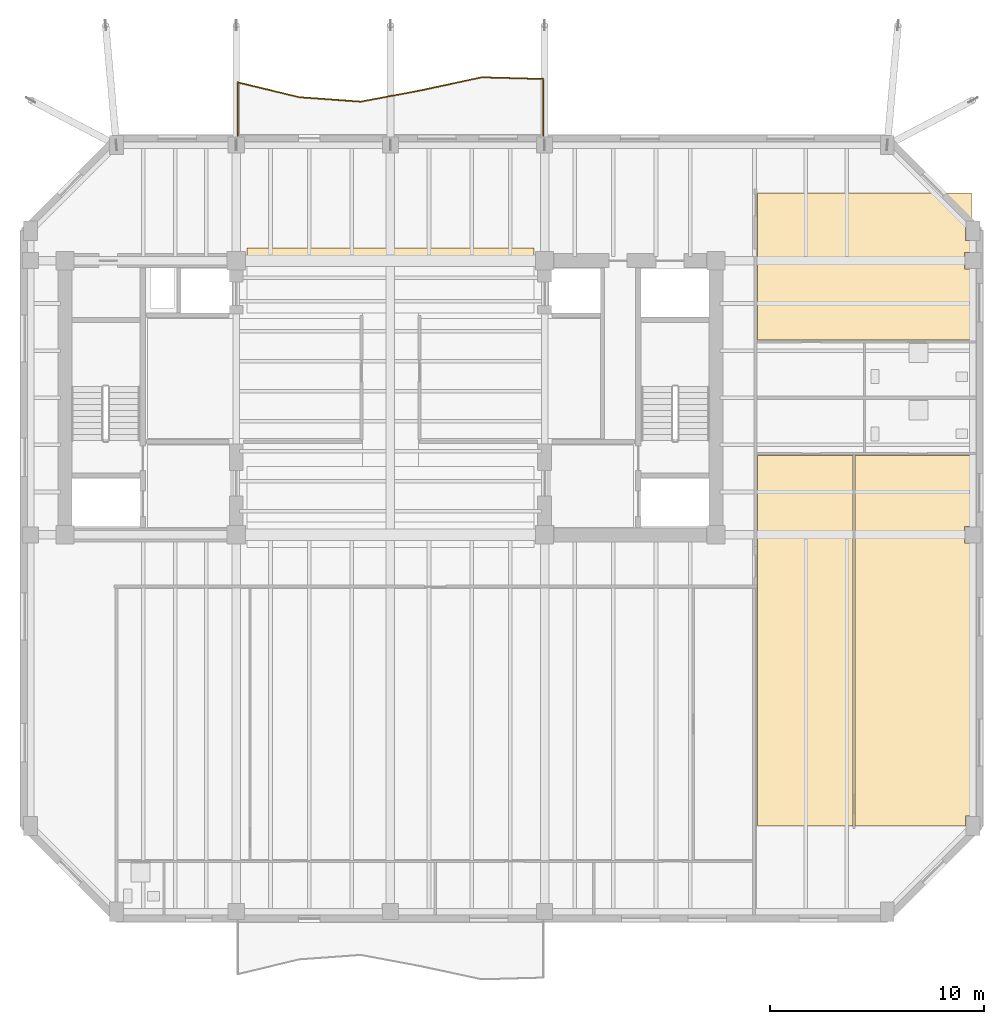
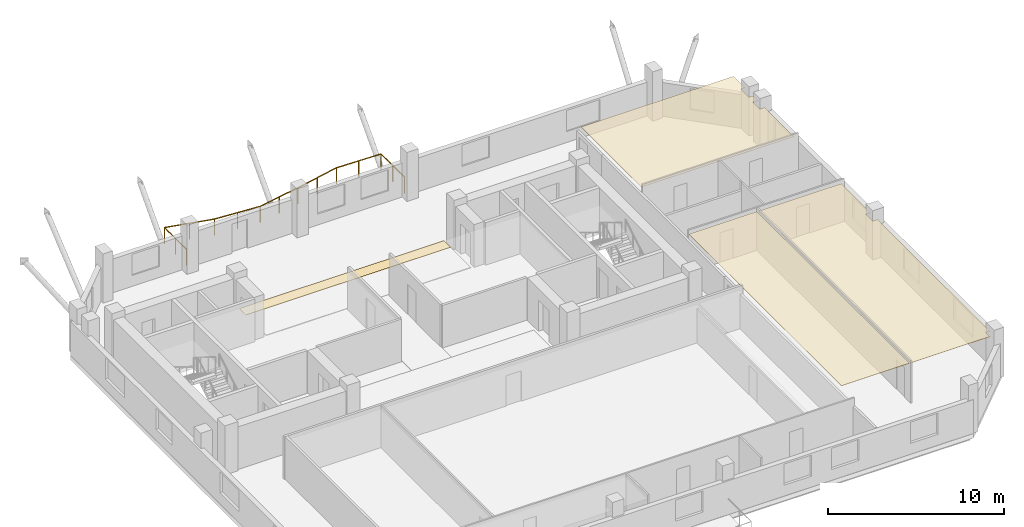
# One storey, part 10 of 11: 4 coverings, 1 railing.
"""IFC4 building model written with IfcOpenShell, lengths in metres."""

import ifcopenshell
import ifcopenshell.guid

model = None  # the IFC model being written
_history = None  # IfcOwnerHistory: only IFC2X3 demands one
_inside = {}  # id of a spatial element -> (the spatial element, [elements in it])
_under = {}  # id of a project, library or spatial element -> (it, [spatial elements below it])
_declared = {}  # id of a project -> (the project, [libraries it declares])
_typed = {}  # id of a type object -> (the type object, [elements of that type])
_made_of = {}  # id of a material, layer set ... -> (it, [elements and type objects made of it])


def new_model(schema):
    """Start an empty IFC model of exactly this schema.

    Asked for "IFC4X3", IfcOpenShell would pick the latest addendum, in which some entities
    have other attributes; the version numbers below select the first issue.
    IFC2X3 requires an IfcOwnerHistory on every rooted entity: one is made here for all.
    """
    global model, _history
    if schema == "IFC4X3":
        model = ifcopenshell.file(schema_version=(4, 3, 0, 0))
    else:
        model = ifcopenshell.file(schema=schema)
    _inside.clear()
    _under.clear()
    _declared.clear()
    _typed.clear()
    _made_of.clear()
    _history = None
    if model.schema == "IFC2X3":
        org = make("IfcOrganization", Name="unknown")
        user = make(
            "IfcPersonAndOrganization",
            ThePerson=make("IfcPerson", FamilyName="unknown"),
            TheOrganization=org,
        )
        app = make(
            "IfcApplication",
            ApplicationDeveloper=org,
            Version="unknown",
            ApplicationFullName="unknown",
            ApplicationIdentifier="unknown",
        )
        _history = make(
            "IfcOwnerHistory",
            OwningUser=user,
            OwningApplication=app,
            ChangeAction="ADDED",
            CreationDate=0,
        )
    return model


def make(cls, **values):
    """One entity of the class cls with the attributes given. An attribute that is None is left unset."""
    return model.create_entity(
        cls, **{name: value for name, value in values.items() if value is not None}
    )


def rooted(cls, **values):
    """An entity with a GlobalId (a new one), such as an element, a storey or a relation."""
    return make(cls, GlobalId=ifcopenshell.guid.new(), OwnerHistory=_history, **values)


def si_unit(unit_type, name, prefix=None):
    """IfcSIUnit, for example si_unit("LENGTHUNIT", "METRE", prefix="MILLI")."""
    return make("IfcSIUnit", UnitType=unit_type, Prefix=prefix, Name=name)


def assignment(units):
    """IfcUnitAssignment: the units of a project."""
    return None if units is None else make("IfcUnitAssignment", Units=units)


def point(xyz):
    """IfcCartesianPoint."""
    return None if xyz is None else make("IfcCartesianPoint", Coordinates=xyz)


def direction(xyz):
    """IfcDirection."""
    return None if xyz is None else make("IfcDirection", DirectionRatios=xyz)


def frame(location, z_axis=None, x_axis=None):
    """IfcAxis2Placement3D, a coordinate frame: its origin and axes. An axis left out is left unset."""
    return make(
        "IfcAxis2Placement3D",
        Location=point(location),
        Axis=direction(z_axis),
        RefDirection=direction(x_axis),
    )


def frame_2d(location, x_axis=None):
    """IfcAxis2Placement2D, a coordinate frame in the plane: its origin and x axis."""
    return make(
        "IfcAxis2Placement2D", Location=point(location), RefDirection=direction(x_axis)
    )


def origin():
    """The frame at (0, 0, 0) with its axes left unset."""
    return frame((0.0, 0.0, 0.0))


def origin_2d():
    """The frame at (0, 0) in the plane with its x axis left unset."""
    return frame_2d((0.0, 0.0))


def place(relative_to, where):
    """IfcLocalPlacement: puts the frame where relative to a parent placement (None: the world)."""
    return make(
        "IfcLocalPlacement", PlacementRelTo=relative_to, RelativePlacement=where
    )


def context(
    kind, dimensions, precision=None, world=None, true_north=None, identifier=None
):
    """IfcGeometricRepresentationContext, for example the 3D "Model" context."""
    return make(
        "IfcGeometricRepresentationContext",
        ContextIdentifier=identifier,
        ContextType=kind,
        CoordinateSpaceDimension=dimensions,
        Precision=precision,
        WorldCoordinateSystem=world,
        TrueNorth=true_north,
    )


def subcontext(parent, identifier, kind, view, scale=None):
    """IfcGeometricRepresentationSubContext, for example "Body" below "Model"."""
    return make(
        "IfcGeometricRepresentationSubContext",
        ContextIdentifier=identifier,
        ContextType=kind,
        ParentContext=parent,
        TargetScale=scale,
        TargetView=view,
    )


def project(units=None, contexts=None):
    """IfcProject with its units and contexts."""
    return rooted(
        "IfcProject",
        Name="project",
        RepresentationContexts=contexts,
        UnitsInContext=assignment(units),
    )


def spatial(cls, under=None, at=None, **own):
    """A site, building, storey or space (cls), placed at a placement, below another one or the project."""
    s = rooted(cls, ObjectPlacement=at, **own)
    if under is not None:
        _under.setdefault(under.id(), (under, []))[1].append(s)
    return s


def polyline(points):
    """IfcPolyline through the points."""
    return make("IfcPolyline", Points=[point(p) for p in points])


def profile(cls, at=None, kind="AREA", **sizes):
    """A parametric profile (cls). Its sizes go by their IFC names, for example OverallWidth=200.0."""
    return make(cls, ProfileType=kind, Position=at, **sizes)


def circle(**sizes):
    """IfcCircleProfileDef."""
    return profile("IfcCircleProfileDef", **sizes)


def outline(outer, holes=None, kind="AREA"):
    """IfcArbitraryClosedProfileDef: a profile drawn as a closed curve; with holes, ...WithVoids."""
    if holes is None:
        return make("IfcArbitraryClosedProfileDef", ProfileType=kind, OuterCurve=outer)
    return make(
        "IfcArbitraryProfileDefWithVoids",
        ProfileType=kind,
        OuterCurve=outer,
        InnerCurves=holes,
    )


def extrude(swept, where, along, depth):
    """IfcExtrudedAreaSolid: the profile swept, set in the frame where, extruded along a direction by depth."""
    return make(
        "IfcExtrudedAreaSolid",
        SweptArea=swept,
        Position=where,
        ExtrudedDirection=direction(along),
        Depth=depth,
    )


def shape(context_of_items, identifier, shape_type, items):
    """IfcShapeRepresentation: the items that make up one representation, for example the "Body"."""
    return make(
        "IfcShapeRepresentation",
        ContextOfItems=context_of_items,
        RepresentationIdentifier=identifier,
        RepresentationType=shape_type,
        Items=items,
    )


def material(Name=None, Category=None):
    """IfcMaterial."""
    return make("IfcMaterial", Name=Name, Category=Category)


def layer(
    of_material, thickness, ventilated=None, Name=None, Category=None, Priority=None
):
    """IfcMaterialLayer: one layer of a wall or slab, of a material (None: an air gap)."""
    return make(
        "IfcMaterialLayer",
        Material=of_material,
        LayerThickness=thickness,
        IsVentilated=ventilated,
        Name=Name,
        Category=Category,
        Priority=Priority,
    )


def layer_set(layers, Name=None):
    """IfcMaterialLayerSet."""
    return make("IfcMaterialLayerSet", MaterialLayers=layers, LayerSetName=Name)


def made_of(thing, what):
    """Note that an element or type object is made of a material, layer set ...; save() writes the relation."""
    if what is not None:
        _made_of.setdefault(what.id(), (what, []))[1].append(thing)
    return thing


def type_object(cls, material=None, **own):
    """A type object (cls), such as IfcWallType, which elements share."""
    return made_of(rooted(cls, **own), material)


def element(
    cls,
    number,
    at=None,
    inside=None,
    cuts=None,
    type_object=None,
    material=None,
    context=None,
    identifier="Body",
    shape_type=None,
    held_by="IfcProductDefinitionShape",
    body=None,
    shapes=None,
    **own,
):
    """One element of the class cls, such as IfcWall. Its Tag is "e" and its number.

    at: its placement. inside: the storey or other place that contains it. cuts: it is an
    opening in that element (IfcRelVoidsElement). A single representation is given by context,
    identifier, shape_type and body (its items); several are given by shapes. held_by: the class
    of the entity that holds the representations. save() writes the other relations.
    """
    e = rooted(cls, Tag="e%d" % number, ObjectPlacement=at, **own)
    if body is not None:
        shapes = [shape(context, identifier, shape_type, body)]
    if shapes is not None:
        e.Representation = make(held_by, Representations=shapes)
    if inside is not None:
        _inside.setdefault(inside.id(), (inside, []))[1].append(e)
    if cuts is not None:
        rooted(
            "IfcRelVoidsElement", RelatingBuildingElement=cuts, RelatedOpeningElement=e
        )
    if type_object is not None:
        _typed.setdefault(type_object.id(), (type_object, []))[1].append(e)
    return made_of(e, material)


def aggregate(whole, parts):
    """IfcRelAggregates: a whole, such as a stair, and the parts it consists of."""
    return rooted("IfcRelAggregates", RelatingObject=whole, RelatedObjects=parts)


def save(model, path):
    """Write the relations noted so far, then the file.

    IfcRelAggregates (storeys below a building ...), IfcRelContainedInSpatialStructure (elements
    in a storey), IfcRelDefinesByType, IfcRelAssociatesMaterial and IfcRelDeclares: one each for
    every whole, place, type object, material and project.
    """
    for whole, parts in _under.values():
        aggregate(whole, parts)
    for where, things in _inside.values():
        rooted(
            "IfcRelContainedInSpatialStructure",
            RelatedElements=things,
            RelatingStructure=where,
        )
    for kind, things in _typed.values():
        rooted("IfcRelDefinesByType", RelatedObjects=things, RelatingType=kind)
    for what, things in _made_of.values():
        rooted("IfcRelAssociatesMaterial", RelatedObjects=things, RelatingMaterial=what)
    for by, libraries in _declared.values():
        rooted("IfcRelDeclares", RelatingContext=by, RelatedDefinitions=libraries)
    model.write(path)


model = new_model("IFC4")

# Units and contexts
model_context = context("Model", 3, precision=1e-05, world=origin(), true_north=direction((0.0, 1.0)))
body_context = subcontext(model_context, "Body", "Model", "MODEL_VIEW")
ifc_project = project(units=[si_unit("LENGTHUNIT", "METRE"), si_unit("AREAUNIT", "SQUARE_METRE"), si_unit("VOLUMEUNIT", "CUBIC_METRE"), si_unit("PLANEANGLEUNIT", "RADIAN"), si_unit("MASSUNIT", "GRAM", prefix="KILO")], contexts=[model_context])

# Site, building, storey
site_placement = place(None, origin())
site = spatial("IfcSite", under=ifc_project, at=site_placement, CompositionType="ELEMENT")
building_placement = place(site_placement, origin())
building = spatial("IfcBuilding", under=site, at=building_placement, Name="Kranthara Brick Stack", CompositionType="ELEMENT")
storey_placement = place(building_placement, frame((0.0, 0.0, 244.89990234375)))
storey = spatial("IfcBuildingStorey", under=building, at=storey_placement, Name="L64", CompositionType="ELEMENT", Elevation=244.89990234375)

# Coverings
ifc_material_1 = material(Name="Perforated mineral-fibre acoustic ceiling tile", Category="other")
ifc_layer_1 = layer(ifc_material_1, 0.02490234375)
ifc_layer_set_1 = layer_set([ifc_layer_1], Name="Perforated mineral-fibre acoustic ceiling tile")
covering_type_1 = type_object("IfcCoveringType", Name="COV-CEIL-ACOUSTIC", PredefinedType="CEILING", material=ifc_layer_set_1)
covering_1_placement = place(storey_placement, frame((0.0, 0.0, 2.68017578125)))
element("IfcCovering", 1, at=covering_1_placement, inside=storey, type_object=covering_type_1, Name="L64 Unit L64B Studio Apartment Living Acoustic Ceiling", PredefinedType="CEILING", context=body_context, shape_type="SweptSolid", body=[
    extrude(outline(polyline([(49.595947265625, 7.199951171875), (49.595947265625, 24.510009765625), (45.139892578125, 24.510009765625), (45.139892578125, 7.199951171875), (49.595947265625, 7.199951171875)])), origin(), (0.0, 0.0, 1.0), 0.02490234375),
])
covering_2_placement = place(storey_placement, frame((0.0, 0.0, 2.68017578125)))
element("IfcCovering", 2, at=covering_2_placement, inside=storey, type_object=covering_type_1, Name="L64 Unit L64B Private Study Room Acoustic Ceiling", PredefinedType="CEILING", context=body_context, shape_type="SweptSolid", body=[
    extrude(outline(polyline([(49.696044921875, 24.510009765625), (55.1298828125, 24.510009765625), (55.1298828125, 21.18505859375), (54.81494140625, 21.18505859375), (54.81494140625, 20.4150390625), (55.1298828125, 20.4150390625), (55.1298828125, 7.659912109375), (54.864990234375, 7.659912109375), (54.864990234375, 7.199951171875), (49.696044921875, 7.199951171875), (49.696044921875, 24.510009765625)])), origin(), (0.0, 0.0, 1.0), 0.02490234375),
])
covering_3_placement = place(storey_placement, frame((0.0, 0.0, 2.68017578125)))
element("IfcCovering", 3, at=covering_3_placement, inside=storey, type_object=covering_type_1, Name="L64 Unit L64C Studio Apartment Living Acoustic Ceiling", PredefinedType="CEILING", context=body_context, shape_type="SweptSolid", body=[
    extrude(outline(polyline([(45.139892578125, 29.889892578125), (45.139892578125, 36.75), (55.1298828125, 36.75), (55.1298828125, 35.4599609375), (54.864990234375, 35.4599609375), (54.864990234375, 34.5400390625), (55.1298828125, 34.5400390625), (55.1298828125, 33.985107421875), (54.81494140625, 33.985107421875), (54.81494140625, 33.215087890625), (55.1298828125, 33.215087890625), (55.1298828125, 29.889892578125), (45.139892578125, 29.889892578125)])), origin(), (0.0, 0.0, 1.0), 0.02490234375),
])
ifc_material_2 = material(Name="Honed terrazzo and porcelain floor finish", Category="stone")
ifc_layer_2 = layer(ifc_material_2, 0.030029296875)
ifc_layer_set_2 = layer_set([ifc_layer_2], Name="Honed terrazzo and porcelain floor finish")
covering_type_2 = type_object("IfcCoveringType", Name="COV-FLOR-STONE", PredefinedType="FLOORING", material=ifc_layer_set_2)
covering_4_placement = place(storey_placement, origin())
element("IfcCovering", 4, at=covering_4_placement, inside=storey, type_object=covering_type_2, Name="L64 Lift Lobby Stone Flooring", PredefinedType="FLOORING", context=body_context, shape_type="SweptSolid", body=[
    extrude(outline(polyline([(34.699951171875, 33.449951171875), (21.300048828125, 33.449951171875), (21.300048828125, 34.199951171875), (34.699951171875, 34.199951171875), (34.699951171875, 33.449951171875)])), origin(), (0.0, 0.0, 1.0), 0.030029296875),
])

# Railing
ifc_material_3 = material(Name="Bronze anodised aluminium and laminated glass balustrade", Category="aluminium")
railing_type = type_object("IfcRailingType", Name="RL-BALC-1120", PredefinedType="BALUSTRADE", material=ifc_material_3)
railing_placement = place(storey_placement, frame((20.860107421875, 39.43994140625, 0.0)))
element("IfcRailing", 5, at=railing_placement, inside=storey, type_object=railing_type, Name="L64 North Rippling Balcony Balustrade", PredefinedType="BALUSTRADE", context=body_context, shape_type="SweptSolid", body=[
    extrude(circle(Radius=0.02392578125, at=origin_2d()), frame((0.0, 0.0, 1.09619140625), z_axis=(-0.000196020774, 0.999999980788, 0.0), x_axis=(-0.999999980788, -0.000196020774, 0.0)), (0.0, 0.0, 1.0), 2.490966796875),
    extrude(circle(Radius=0.02392578125, at=origin_2d()), frame((-0.00048828125, 2.490966796875, 1.09619140625), z_axis=(0.972172223001, -0.234267302084, 0.0), x_axis=(0.234267302084, 0.972172223001, 0.0)), (0.0, 0.0, 1.0), 2.962890625),
    extrude(circle(Radius=0.02392578125, at=origin_2d()), frame((2.8798828125, 1.796875, 1.09619140625), z_axis=(0.997425974582, -0.07170373232, 0.0), x_axis=(0.07170373232, 0.997425974582, 0.0)), (0.0, 0.0, 1.0), 2.88720703125),
    extrude(circle(Radius=0.02392578125, at=origin_2d()), frame((5.759765625, 1.58984375, 1.09619140625), z_axis=(0.98278949923, 0.184728991239, 0.0), x_axis=(-0.184728991239, 0.98278949923, 0.0)), (0.0, 0.0, 1.0), 2.81103515625),
    extrude(circle(Radius=0.02392578125, at=origin_2d()), frame((8.5224609375, 2.109130859375, 1.09619140625), z_axis=(0.97773563355, 0.209840489147, 0.0), x_axis=(-0.209840489147, 0.97773563355, 0.0)), (0.0, 0.0, 1.0), 2.94482421875),
    extrude(circle(Radius=0.02392578125, at=origin_2d()), frame((11.401611328125, 2.72705078125, 1.09619140625), z_axis=(0.999627318671, -0.027298786923, 0.0), x_axis=(0.027298786923, 0.999627318671, 0.0)), (0.0, 0.0, 1.0), 2.879638671875),
    extrude(circle(Radius=0.02392578125, at=origin_2d()), frame((14.2802734375, 2.6484375, 1.09619140625), z_axis=(-0.000184365779, -0.999999983005, 0.0), x_axis=(0.999999983005, -0.000184365779, 0.0)), (0.0, 0.0, 1.0), 2.6484375),
    extrude(circle(Radius=0.02099609375, at=origin_2d()), origin(), (0.0, 0.0, 1.0), 1.072021484375),
    extrude(circle(Radius=0.02099609375, at=origin_2d()), frame((-0.000244140625, 1.24560546875, 0.0)), (0.0, 0.0, 1.0), 1.072021484375),
    extrude(circle(Radius=0.02099609375, at=origin_2d()), frame((-0.00048828125, 2.490966796875, 0.0)), (0.0, 0.0, 1.0), 1.072021484375),
    extrude(circle(Radius=0.02099609375, at=origin_2d()), frame((1.439697265625, 2.14404296875, 0.0)), (0.0, 0.0, 1.0), 1.072021484375),
    extrude(circle(Radius=0.02099609375, at=origin_2d()), frame((2.8798828125, 1.796875, 0.0)), (0.0, 0.0, 1.0), 1.072021484375),
    extrude(circle(Radius=0.02099609375, at=origin_2d()), frame((4.31982421875, 1.693359375, 0.0)), (0.0, 0.0, 1.0), 1.072021484375),
    extrude(circle(Radius=0.02099609375, at=origin_2d()), frame((5.759765625, 1.58984375, 0.0)), (0.0, 0.0, 1.0), 1.072021484375),
    extrude(circle(Radius=0.02099609375, at=origin_2d()), frame((7.14111328125, 1.849609375, 0.0)), (0.0, 0.0, 1.0), 1.072021484375),
    extrude(circle(Radius=0.02099609375, at=origin_2d()), frame((8.5224609375, 2.109130859375, 0.0)), (0.0, 0.0, 1.0), 1.072021484375),
    extrude(circle(Radius=0.02099609375, at=origin_2d()), frame((9.9619140625, 2.41796875, 0.0)), (0.0, 0.0, 1.0), 1.072021484375),
    extrude(circle(Radius=0.02099609375, at=origin_2d()), frame((11.401611328125, 2.72705078125, 0.0)), (0.0, 0.0, 1.0), 1.072021484375),
    extrude(circle(Radius=0.02099609375, at=origin_2d()), frame((12.8408203125, 2.687744140625, 0.0)), (0.0, 0.0, 1.0), 1.072021484375),
    extrude(circle(Radius=0.02099609375, at=origin_2d()), frame((14.2802734375, 2.6484375, 0.0)), (0.0, 0.0, 1.0), 1.072021484375),
    extrude(circle(Radius=0.02099609375, at=origin_2d()), frame((14.280029296875, 1.32421875, 0.0)), (0.0, 0.0, 1.0), 1.072021484375),
    extrude(circle(Radius=0.02099609375, at=origin_2d()), frame((14.27978515625, 0.0, 0.0)), (0.0, 0.0, 1.0), 1.072021484375),
])

save(model, "model.ifc")
